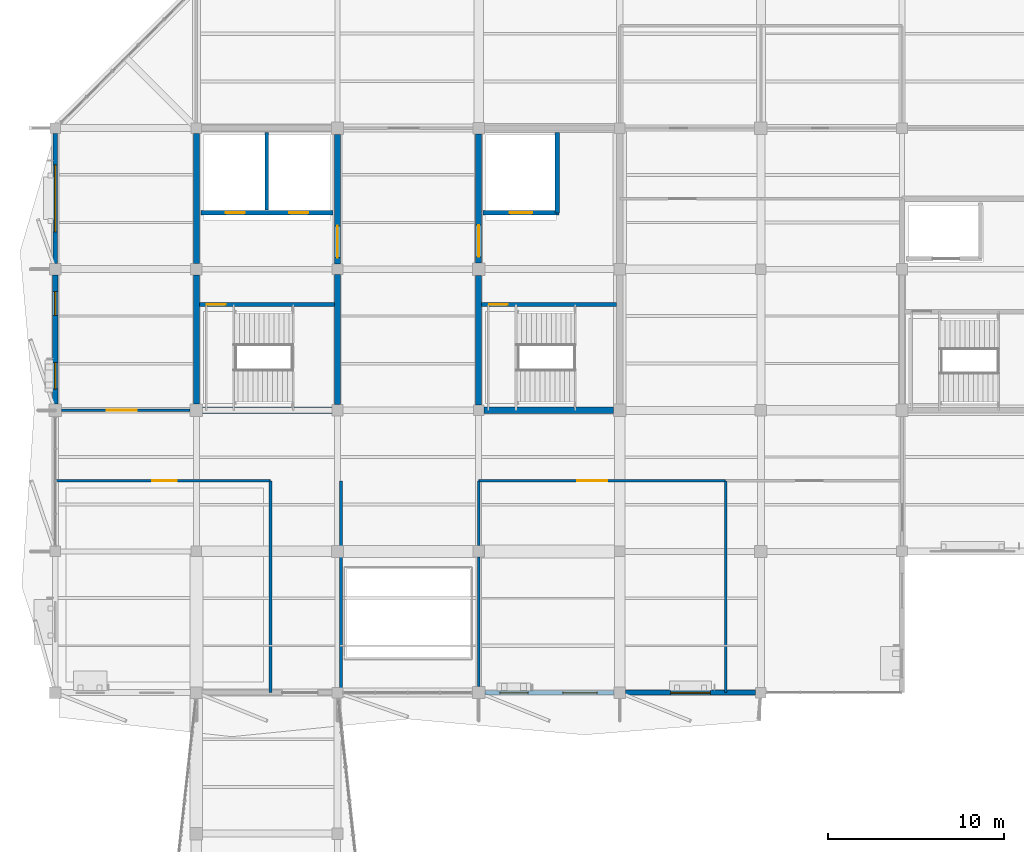
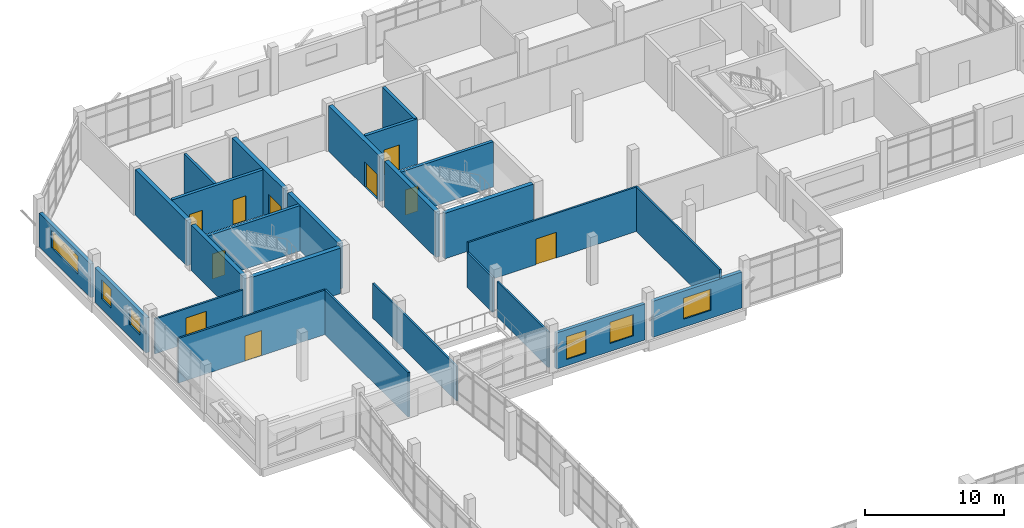
# One storey, part 73 of 84: 26 walls, 10 doors, 6 windows, 16 openings.
"""IFC4 building model written with IfcOpenShell, lengths in metres."""

from ifc_helpers import new_model, si_unit, direction, frame, frame_2d, origin, place, context, subcontext, project, spatial, rectangle, extrude, material, layer, layer_set, type_object, element, fill, save


model = new_model("IFC4")

# Units and contexts
model_context = context("Model", 3, precision=1e-05, world=origin(), true_north=direction((0.0, 1.0)))
body_context = subcontext(model_context, "Body", "Model", "MODEL_VIEW")
ifc_project = project(units=[si_unit("LENGTHUNIT", "METRE"), si_unit("AREAUNIT", "SQUARE_METRE"), si_unit("VOLUMEUNIT", "CUBIC_METRE"), si_unit("PLANEANGLEUNIT", "RADIAN"), si_unit("MASSUNIT", "GRAM", prefix="KILO")], contexts=[model_context])

# Site, building, storey
site_placement = place(None, origin())
site = spatial("IfcSite", under=ifc_project, at=site_placement, CompositionType="ELEMENT")
building_placement = place(site_placement, origin())
building = spatial("IfcBuilding", under=site, at=building_placement, Name="Tenunan Teduh Sports Hall", CompositionType="ELEMENT")
storey_placement = place(building_placement, frame((0.0, 0.0, 10.800048828125)))
storey = spatial("IfcBuildingStorey", under=building, at=storey_placement, Name="L02", CompositionType="ELEMENT", Elevation=10.800048828125)

# Wall, opening, door
ifc_material_1 = material(Name="Concrete C40/50", Category="concrete")
ifc_layer_1 = layer(ifc_material_1, 0.25)
ifc_layer_set_1 = layer_set([ifc_layer_1], Name="Concrete C40/50")
wall_type_1 = type_object("IfcWallType", Name="WL-COR-250", PredefinedType="SOLIDWALL", material=ifc_layer_set_1)
wall_1_placement = place(storey_placement, frame((14.175048828125, 100.0, 0.0), z_axis=(0.0, 0.0, 1.0), x_axis=(1.0, 0.0, 0.0)))
wall_1 = element("IfcWall", 1, at=wall_1_placement, inside=storey, type_object=wall_type_1, Name="WL-COR-L02-034", PredefinedType="SOLIDWALL", context=body_context, shape_type="SweptSolid", body=[
    extrude(rectangle(XDim=7.64990234375, YDim=0.25, at=frame_2d((3.824951171875, 0.0))), origin(), (0.0, 0.0, 1.0), 3.97998046875),
])
opening_1_placement = place(wall_1_placement, frame((0.425048828125, 0.0, 0.0)))
opening_1 = element("IfcOpeningElement", 2, at=opening_1_placement, cuts=wall_1, Name="Opening FD-02", PredefinedType="OPENING", context=body_context, shape_type="SweptSolid", body=[
    extrude(rectangle(XDim=1.050048828125, YDim=2.199951171875, at=frame_2d((0.52490234375, 1.10009765625))), frame((0.0, 0.135009765625, 0.0), z_axis=(0.0, -1.0, 0.0), x_axis=(1.0, 0.0, 0.0)), (0.0, 0.0, 1.0), 0.27001953125),
])
ifc_material_2 = material(Name="Fire-rated steel leaf and frame", Category="steel")
door_type_1 = type_object("IfcDoorType", Name="FDR-02", OperationType="SINGLE_SWING_RIGHT", PredefinedType="DOOR", material=ifc_material_2)
door_1_placement = place(opening_1_placement, frame((1.050048828125, 0.0, 0.0), z_axis=(0.0, 0.0, 1.0), x_axis=(-1.0, 0.0, 0.0)))
door_1 = element("IfcDoor", 3, at=door_1_placement, inside=storey, type_object=door_type_1, Name="DR-INT-L02-014", OperationType="SINGLE_SWING_RIGHT", OverallHeight=2.199951171875, OverallWidth=1.050048828125, PredefinedType="DOOR", context=body_context, shape_type="SweptSolid", body=[
    extrude(rectangle(XDim=1.050048828125, YDim=2.199951171875, at=frame_2d((0.52490234375, 1.10009765625))), frame((0.0, 0.02490234375, 0.0), z_axis=(0.0, -1.0, 0.0), x_axis=(1.0, 0.0, 0.0)), (0.0, 0.0, 1.0), 0.050048828125),
])
fill(opening_1, door_1)

# Wall, openings, doors
wall_2_placement = place(storey_placement, frame((14.25, 105.199951171875, 0.0), z_axis=(0.0, 0.0, 1.0), x_axis=(1.0, 0.0, 0.0)))
wall_2 = element("IfcWall", 4, at=wall_2_placement, inside=storey, type_object=wall_type_1, Name="WL-COR-L02-035", PredefinedType="SOLIDWALL", context=body_context, shape_type="SweptSolid", body=[
    extrude(rectangle(XDim=7.5, YDim=0.25, at=frame_2d((3.75, 0.0))), origin(), (0.0, 0.0, 1.0), 3.97998046875),
])
opening_2_placement = place(wall_2_placement, frame((1.39990234375, 0.0, 0.0)))
opening_2 = element("IfcOpeningElement", 5, at=opening_2_placement, cuts=wall_2, Name="Opening LD-1", PredefinedType="OPENING", context=body_context, shape_type="SweptSolid", body=[
    extrude(rectangle(XDim=1.10009765625, YDim=2.199951171875, at=frame_2d((0.550048828125, 1.10009765625))), frame((0.0, 0.135009765625, 0.0), z_axis=(0.0, -1.0, 0.0), x_axis=(1.0, 0.0, 0.0)), (0.0, 0.0, 1.0), 0.27001953125),
])
opening_3_placement = place(wall_2_placement, frame((5.0, 0.0, 0.0)))
opening_3 = element("IfcOpeningElement", 6, at=opening_3_placement, cuts=wall_2, Name="Opening LD-1", PredefinedType="OPENING", context=body_context, shape_type="SweptSolid", body=[
    extrude(rectangle(XDim=1.10009765625, YDim=2.199951171875, at=frame_2d((0.550048828125, 1.10009765625))), frame((0.0, 0.135009765625, 0.0), z_axis=(0.0, -1.0, 0.0), x_axis=(1.0, 0.0, 0.0)), (0.0, 0.0, 1.0), 0.27001953125),
])
ifc_material_3 = material(Name="Brushed stainless steel landing doors", Category="steel")
door_type_2 = type_object("IfcDoorType", Name="LDR-01", OperationType="DOUBLE_DOOR_SLIDING", PredefinedType="DOOR", material=ifc_material_3)
door_2_placement = place(opening_2_placement, origin())
door_2 = element("IfcDoor", 7, at=door_2_placement, inside=storey, type_object=door_type_2, Name="Lift Landing Door LD-07", OperationType="DOUBLE_DOOR_SLIDING", OverallHeight=2.199951171875, OverallWidth=1.10009765625, PredefinedType="DOOR", context=body_context, shape_type="SweptSolid", body=[
    extrude(rectangle(XDim=1.10009765625, YDim=2.199951171875, at=frame_2d((0.550048828125, 1.10009765625))), frame((0.0, 0.02490234375, 0.0), z_axis=(0.0, -1.0, 0.0), x_axis=(1.0, 0.0, 0.0)), (0.0, 0.0, 1.0), 0.050048828125),
])
fill(opening_2, door_2)
door_3_placement = place(opening_3_placement, origin())
door_3 = element("IfcDoor", 8, at=door_3_placement, inside=storey, type_object=door_type_2, Name="Lift Landing Door LD-08", OperationType="DOUBLE_DOOR_SLIDING", OverallHeight=2.199951171875, OverallWidth=1.10009765625, PredefinedType="DOOR", context=body_context, shape_type="SweptSolid", body=[
    extrude(rectangle(XDim=1.10009765625, YDim=2.199951171875, at=frame_2d((0.550048828125, 1.10009765625))), frame((0.0, 0.02490234375, 0.0), z_axis=(0.0, -1.0, 0.0), x_axis=(1.0, 0.0, 0.0)), (0.0, 0.0, 1.0), 0.050048828125),
])
fill(opening_3, door_3)

# Wall, opening, door
wall_3_placement = place(storey_placement, frame((30.175048828125, 100.0, 0.0), z_axis=(0.0, 0.0, 1.0), x_axis=(1.0, 0.0, 0.0)))
wall_3 = element("IfcWall", 9, at=wall_3_placement, inside=storey, type_object=wall_type_1, Name="WL-COR-L02-088", PredefinedType="SOLIDWALL", context=body_context, shape_type="SweptSolid", body=[
    extrude(rectangle(XDim=7.64990234375, YDim=0.25, at=frame_2d((3.824951171875, 0.0))), origin(), (0.0, 0.0, 1.0), 3.97998046875),
])
opening_4_placement = place(wall_3_placement, frame((0.425048828125, 0.0, 0.0)))
opening_4 = element("IfcOpeningElement", 10, at=opening_4_placement, cuts=wall_3, Name="Opening FD-02", PredefinedType="OPENING", context=body_context, shape_type="SweptSolid", body=[
    extrude(rectangle(XDim=1.050048828125, YDim=2.199951171875, at=frame_2d((0.52490234375, 1.10009765625))), frame((0.0, 0.135009765625, 0.0), z_axis=(0.0, -1.0, 0.0), x_axis=(1.0, 0.0, 0.0)), (0.0, 0.0, 1.0), 0.27001953125),
])
door_4_placement = place(opening_4_placement, frame((1.050048828125, 0.0, 0.0), z_axis=(0.0, 0.0, 1.0), x_axis=(-1.0, 0.0, 0.0)))
door_4 = element("IfcDoor", 11, at=door_4_placement, inside=storey, type_object=door_type_1, Name="DR-INT-L02-035", OperationType="SINGLE_SWING_LEFT", OverallHeight=2.199951171875, OverallWidth=1.050048828125, PredefinedType="DOOR", context=body_context, shape_type="SweptSolid", body=[
    extrude(rectangle(XDim=1.050048828125, YDim=2.199951171875, at=frame_2d((0.52490234375, 1.10009765625))), frame((0.0, 0.02490234375, 0.0), z_axis=(0.0, -1.0, 0.0), x_axis=(1.0, 0.0, 0.0)), (0.0, 0.0, 1.0), 0.050048828125),
])
fill(opening_4, door_4)

wall_4_placement = place(storey_placement, frame((30.25, 105.199951171875, 0.0), z_axis=(0.0, 0.0, 1.0), x_axis=(1.0, 0.0, 0.0)))
wall_4 = element("IfcWall", 12, at=wall_4_placement, inside=storey, type_object=wall_type_1, Name="WL-COR-L02-089", PredefinedType="SOLIDWALL", context=body_context, shape_type="SweptSolid", body=[
    extrude(rectangle(XDim=4.300048828125, YDim=0.25, at=frame_2d((2.14990234375, 0.0))), origin(), (0.0, 0.0, 1.0), 3.97998046875),
])
opening_5_placement = place(wall_4_placement, frame((1.5, 0.0, 0.0)))
opening_5 = element("IfcOpeningElement", 13, at=opening_5_placement, cuts=wall_4, Name="Opening LD-2", PredefinedType="OPENING", context=body_context, shape_type="SweptSolid", body=[
    extrude(rectangle(XDim=1.300048828125, YDim=2.199951171875, at=frame_2d((0.64990234375, 1.10009765625))), frame((0.0, 0.135009765625, 0.0), z_axis=(0.0, -1.0, 0.0), x_axis=(1.0, 0.0, 0.0)), (0.0, 0.0, 1.0), 0.27001953125),
])
ifc_material_4 = material(Name="Fire-fighting lift stainless landing doors")
door_type_3 = type_object("IfcDoorType", Name="LDR-02", OperationType="DOUBLE_DOOR_SLIDING", PredefinedType="DOOR", material=ifc_material_4)
door_5_placement = place(opening_5_placement, origin())
door_5 = element("IfcDoor", 14, at=door_5_placement, inside=storey, type_object=door_type_3, Name="Lift Landing Door LD-16", OperationType="DOUBLE_DOOR_SLIDING", OverallHeight=2.199951171875, OverallWidth=1.300048828125, PredefinedType="DOOR", context=body_context, shape_type="SweptSolid", body=[
    extrude(rectangle(XDim=1.300048828125, YDim=2.199951171875, at=frame_2d((0.64990234375, 1.10009765625))), frame((0.0, 0.02490234375, 0.0), z_axis=(0.0, -1.0, 0.0), x_axis=(1.0, 0.0, 0.0)), (0.0, 0.0, 1.0), 0.050048828125),
])
fill(opening_5, door_5)

# Wall
wall_5_placement = place(storey_placement, frame((34.449951171875, 105.199951171875, 0.0), z_axis=(0.0, 0.0, 1.0), x_axis=(0.0, 1.0, 0.0)))
element("IfcWall", 15, at=wall_5_placement, inside=storey, type_object=wall_type_1, Name="WL-COR-L02-090", PredefinedType="SOLIDWALL", context=body_context, shape_type="SweptSolid", body=[
    extrude(rectangle(XDim=4.550048828125, YDim=0.25, at=frame_2d((2.27490234375, 0.0))), origin(), (0.0, 0.0, 1.0), 3.97998046875),
])

# Wall, openings, windows
ifc_material_5 = material(Name="Precast concrete C40/50", Category="concrete")
ifc_layer_2 = layer(ifc_material_5, 0.25)
ifc_layer_set_2 = layer_set([ifc_layer_2], Name="Precast concrete C40/50")
wall_type_2 = type_object("IfcWallType", Name="WL-EXT-250", PredefinedType="SOLIDWALL", material=ifc_layer_set_2)
wall_6_placement = place(storey_placement, frame((30.35009765625, 78.0, 0.0), z_axis=(0.0, 0.0, 1.0), x_axis=(1.0, 0.0, 0.0)))
wall_6 = element("IfcWall", 16, at=wall_6_placement, inside=storey, type_object=wall_type_2, Name="WL-EXT-L02-180", PredefinedType="SOLIDWALL", context=body_context, shape_type="SweptSolid", body=[
    extrude(rectangle(XDim=7.324951171875, YDim=0.25, at=frame_2d((3.66259765625, 0.0))), origin(), (0.0, 0.0, 1.0), 3.159912109375),
])
opening_6_placement = place(wall_6_placement, frame((0.85009765625, 0.0, 0.550048828125)))
opening_6 = element("IfcOpeningElement", 17, at=opening_6_placement, cuts=wall_6, Name="Opening W-14", PredefinedType="OPENING", context=body_context, shape_type="SweptSolid", body=[
    extrude(rectangle(XDim=1.60009765625, YDim=2.0, at=frame_2d((0.800048828125, 1.0))), frame((0.0, 0.135009765625, 0.0), z_axis=(0.0, -1.0, 0.0), x_axis=(1.0, 0.0, 0.0)), (0.0, 0.0, 1.0), 0.27001953125),
])
opening_7_placement = place(wall_6_placement, frame((4.419921875, 0.0, 0.699951171875)))
opening_7 = element("IfcOpeningElement", 18, at=opening_7_placement, cuts=wall_6, Name="Opening W-20", PredefinedType="OPENING", context=body_context, shape_type="SweptSolid", body=[
    extrude(rectangle(XDim=1.949951171875, YDim=1.85009765625, at=frame_2d((0.97509765625, 0.925048828125))), frame((0.0, 0.135009765625, 0.0), z_axis=(0.0, -1.0, 0.0), x_axis=(1.0, 0.0, 0.0)), (0.0, 0.0, 1.0), 0.27001953125),
])
ifc_material_6 = material(Name="Thermally broken aluminium and Low-E glazing", Category="aluminium")
window_type_1 = type_object("IfcWindowType", Name="WIN-14", PartitioningType="DOUBLE_PANEL_VERTICAL", PredefinedType="WINDOW", material=ifc_material_6)
window_1_placement = place(opening_6_placement, origin())
window_1 = element("IfcWindow", 19, at=window_1_placement, inside=storey, type_object=window_type_1, Name="WIN-L02-069", OverallHeight=2.0, OverallWidth=1.60009765625, PartitioningType="SINGLE_PANEL", PredefinedType="WINDOW", context=body_context, shape_type="SweptSolid", body=[
    extrude(rectangle(XDim=1.60009765625, YDim=2.0, at=frame_2d((0.800048828125, 1.0))), frame((0.0, 0.030029296875, 0.0), z_axis=(0.0, -1.0, 0.0), x_axis=(1.0, 0.0, 0.0)), (0.0, 0.0, 1.0), 0.06005859375),
])
fill(opening_6, window_1)
ifc_material_7 = material(Name="Thermally broken aluminium and Low-E glazing", Category="aluminium")
window_type_2 = type_object("IfcWindowType", Name="WIN-20", PartitioningType="DOUBLE_PANEL_VERTICAL", PredefinedType="WINDOW", material=ifc_material_7)
window_2_placement = place(opening_7_placement, origin())
window_2 = element("IfcWindow", 20, at=window_2_placement, inside=storey, type_object=window_type_2, Name="WIN-L02-070", OverallHeight=1.85009765625, OverallWidth=1.949951171875, PartitioningType="SINGLE_PANEL", PredefinedType="WINDOW", context=body_context, shape_type="SweptSolid", body=[
    extrude(rectangle(XDim=1.949951171875, YDim=1.85009765625, at=frame_2d((0.97509765625, 0.925048828125))), frame((0.0, 0.030029296875, 0.0), z_axis=(0.0, -1.0, 0.0), x_axis=(1.0, 0.0, 0.0)), (0.0, 0.0, 1.0), 0.06005859375),
])
fill(opening_7, window_2)

# Wall, opening, window
ifc_material_8 = material(Name="Concrete C40/50", Category="concrete")
ifc_layer_3 = layer(ifc_material_8, 0.280029296875)
ifc_layer_set_3 = layer_set([ifc_layer_3], Name="Concrete C40/50")
wall_type_3 = type_object("IfcWallType", Name="WL-EXT-280", PredefinedType="SOLIDWALL", material=ifc_layer_set_3)
wall_7_placement = place(storey_placement, frame((38.324951171875, 78.0, 0.0), z_axis=(0.0, 0.0, 1.0), x_axis=(1.0, 0.0, 0.0)))
wall_7 = element("IfcWall", 21, at=wall_7_placement, inside=storey, type_object=wall_type_3, Name="WL-EXT-L02-181", PredefinedType="SOLIDWALL", context=body_context, shape_type="SweptSolid", body=[
    extrude(rectangle(XDim=7.375, YDim=0.280029296875, at=frame_2d((3.6875, 0.0))), origin(), (0.0, 0.0, 1.0), 3.159912109375),
])
opening_8_placement = place(wall_7_placement, frame((2.56005859375, 0.0, 0.699951171875)))
opening_8 = element("IfcOpeningElement", 22, at=opening_8_placement, cuts=wall_7, Name="Opening W-21", PredefinedType="OPENING", context=body_context, shape_type="SweptSolid", body=[
    extrude(rectangle(XDim=2.25, YDim=1.85009765625, at=frame_2d((1.125, 0.925048828125))), frame((0.0, 0.14990234375, 0.0), z_axis=(0.0, -1.0, 0.0), x_axis=(1.0, 0.0, 0.0)), (0.0, 0.0, 1.0), 0.300048828125),
])
ifc_material_9 = material(Name="Thermally broken aluminium and Low-E glazing", Category="aluminium")
window_type_3 = type_object("IfcWindowType", Name="WIN-21", PartitioningType="TRIPLE_PANEL_VERTICAL", PredefinedType="WINDOW", material=ifc_material_9)
window_3_placement = place(opening_8_placement, origin())
window_3 = element("IfcWindow", 23, at=window_3_placement, inside=storey, type_object=window_type_3, Name="WIN-L02-071", OverallHeight=1.85009765625, OverallWidth=2.25, PartitioningType="SINGLE_PANEL", PredefinedType="WINDOW", context=body_context, shape_type="SweptSolid", body=[
    extrude(rectangle(XDim=2.25, YDim=1.85009765625, at=frame_2d((1.125, 0.925048828125))), frame((0.0, 0.030029296875, 0.0), z_axis=(0.0, -1.0, 0.0), x_axis=(1.0, 0.0, 0.0)), (0.0, 0.0, 1.0), 0.06005859375),
])
fill(opening_8, window_3)

wall_8_placement = place(storey_placement, frame((6.0, 102.324951171875, 0.0), z_axis=(0.0, 0.0, 1.0), x_axis=(0.0, 1.0, 0.0)))
wall_8 = element("IfcWall", 24, at=wall_8_placement, inside=storey, type_object=wall_type_3, Name="WL-EXT-L02-193", PredefinedType="SOLIDWALL", context=body_context, shape_type="SweptSolid", body=[
    extrude(rectangle(XDim=7.375, YDim=0.280029296875, at=frame_2d((3.6875, 0.0))), origin(), (0.0, 0.0, 1.0), 2.9599609375),
])
opening_9_placement = place(wall_8_placement, frame((1.7900390625, 0.0, 1.0)))
opening_9 = element("IfcOpeningElement", 25, at=opening_9_placement, cuts=wall_8, Name="Opening W-24", PredefinedType="OPENING", context=body_context, shape_type="SweptSolid", body=[
    extrude(rectangle(XDim=3.800048828125, YDim=1.550048828125, at=frame_2d((1.89990234375, 0.77490234375))), frame((0.0, 0.14990234375, 0.0), z_axis=(0.0, -1.0, 0.0), x_axis=(1.0, 0.0, 0.0)), (0.0, 0.0, 1.0), 0.300048828125),
])
ifc_material_10 = material(Name="Thermally broken aluminium and Low-E glazing", Category="aluminium")
window_type_4 = type_object("IfcWindowType", Name="WIN-24", PartitioningType="TRIPLE_PANEL_HORIZONTAL", PredefinedType="WINDOW", material=ifc_material_10)
window_4_placement = place(opening_9_placement, origin())
window_4 = element("IfcWindow", 26, at=window_4_placement, inside=storey, type_object=window_type_4, Name="WIN-L02-089", OverallHeight=1.550048828125, OverallWidth=3.800048828125, PartitioningType="SINGLE_PANEL", PredefinedType="WINDOW", context=body_context, shape_type="SweptSolid", body=[
    extrude(rectangle(XDim=3.800048828125, YDim=1.550048828125, at=frame_2d((1.89990234375, 0.77490234375))), frame((0.0, 0.030029296875, 0.0), z_axis=(0.0, -1.0, 0.0), x_axis=(1.0, 0.0, 0.0)), (0.0, 0.0, 1.0), 0.06005859375),
])
fill(opening_9, window_4)

# Wall, openings, windows
ifc_material_11 = material(Name="Concrete C40/50", Category="concrete")
ifc_layer_4 = layer(ifc_material_11, 0.2900390625)
ifc_layer_set_4 = layer_set([ifc_layer_4], Name="Concrete C40/50")
wall_type_4 = type_object("IfcWallType", Name="WL-EXT-290", PredefinedType="SOLIDWALL", material=ifc_layer_set_4)
wall_9_placement = place(storey_placement, frame((6.0, 94.35009765625, 0.0), z_axis=(0.0, 0.0, 1.0), x_axis=(0.0, 1.0, 0.0)))
wall_9 = element("IfcWall", 27, at=wall_9_placement, inside=storey, type_object=wall_type_4, Name="WL-EXT-L02-192", PredefinedType="SOLIDWALL", context=body_context, shape_type="SweptSolid", body=[
    extrude(rectangle(XDim=7.324951171875, YDim=0.2900390625, at=frame_2d((3.66259765625, 0.0))), origin(), (0.0, 0.0, 1.0), 3.06005859375),
])
opening_10_placement = place(wall_9_placement, frame((0.85009765625, 0.0, 1.050048828125)))
opening_10 = element("IfcOpeningElement", 28, at=opening_10_placement, cuts=wall_9, Name="Opening W-09", PredefinedType="OPENING", context=body_context, shape_type="SweptSolid", body=[
    extrude(rectangle(XDim=1.5, YDim=1.5, at=frame_2d((0.75, 0.75))), frame((0.0, 0.155029296875, 0.0), z_axis=(0.0, -1.0, 0.0), x_axis=(1.0, 0.0, 0.0)), (0.0, 0.0, 1.0), 0.31005859375),
])
opening_11_placement = place(wall_9_placement, frame((5.030029296875, 0.0, 0.89990234375)))
opening_11 = element("IfcOpeningElement", 29, at=opening_11_placement, cuts=wall_9, Name="Opening W-18", PredefinedType="OPENING", context=body_context, shape_type="SweptSolid", body=[
    extrude(rectangle(XDim=1.35009765625, YDim=1.64990234375, at=frame_2d((0.675048828125, 0.824951171875))), frame((0.0, 0.155029296875, 0.0), z_axis=(0.0, -1.0, 0.0), x_axis=(1.0, 0.0, 0.0)), (0.0, 0.0, 1.0), 0.31005859375),
])
ifc_material_12 = material(Name="Thermally broken aluminium and Low-E glazing", Category="aluminium")
window_type_5 = type_object("IfcWindowType", Name="WIN-09", PartitioningType="DOUBLE_PANEL_VERTICAL", PredefinedType="WINDOW", material=ifc_material_12)
window_5_placement = place(opening_10_placement, origin())
window_5 = element("IfcWindow", 30, at=window_5_placement, inside=storey, type_object=window_type_5, Name="WIN-L02-087", OverallHeight=1.5, OverallWidth=1.5, PartitioningType="SINGLE_PANEL", PredefinedType="WINDOW", context=body_context, shape_type="SweptSolid", body=[
    extrude(rectangle(XDim=1.5, YDim=1.5, at=frame_2d((0.75, 0.75))), frame((0.0, 0.030029296875, 0.0), z_axis=(0.0, -1.0, 0.0), x_axis=(1.0, 0.0, 0.0)), (0.0, 0.0, 1.0), 0.06005859375),
])
fill(opening_10, window_5)
ifc_material_13 = material(Name="Thermally broken aluminium and Low-E glazing", Category="aluminium")
window_type_6 = type_object("IfcWindowType", Name="WIN-18", PartitioningType="DOUBLE_PANEL_VERTICAL", PredefinedType="WINDOW", material=ifc_material_13)
window_6_placement = place(opening_11_placement, origin())
window_6 = element("IfcWindow", 31, at=window_6_placement, inside=storey, type_object=window_type_6, Name="WIN-L02-088", OverallHeight=1.64990234375, OverallWidth=1.35009765625, PartitioningType="SINGLE_PANEL", PredefinedType="WINDOW", context=body_context, shape_type="SweptSolid", body=[
    extrude(rectangle(XDim=1.35009765625, YDim=1.64990234375, at=frame_2d((0.675048828125, 0.824951171875))), frame((0.0, 0.030029296875, 0.0), z_axis=(0.0, -1.0, 0.0), x_axis=(1.0, 0.0, 0.0)), (0.0, 0.0, 1.0), 0.06005859375),
])
fill(opening_11, window_6)

# Wall, opening, door
ifc_material_14 = material(Name="Acoustic stud and double plasterboard")
ifc_layer_5 = layer(ifc_material_14, 0.14990234375)
ifc_layer_set_5 = layer_set([ifc_layer_5], Name="Acoustic stud and double plasterboard")
wall_type_5 = type_object("IfcWallType", Name="WL-PRT-150", PredefinedType="PARTITIONING", material=ifc_layer_set_5)
wall_10_placement = place(storey_placement, frame((6.0, 90.0, 0.0), z_axis=(0.0, 0.0, 1.0), x_axis=(1.0, 0.0, 0.0)))
wall_10 = element("IfcWall", 32, at=wall_10_placement, inside=storey, type_object=wall_type_5, Name="WL-PRT-L02-413", PredefinedType="PARTITIONING", context=body_context, shape_type="SweptSolid", body=[
    extrude(rectangle(XDim=12.199951171875, YDim=0.14990234375, at=frame_2d((6.10009765625, 0.0))), origin(), (0.0, 0.0, 1.0), 3.89990234375),
])
opening_12_placement = place(wall_10_placement, frame((5.489990234375, 0.0, 0.0)))
opening_12 = element("IfcOpeningElement", 33, at=opening_12_placement, cuts=wall_10, Name="Opening ID-10", PredefinedType="OPENING", context=body_context, shape_type="SweptSolid", body=[
    extrude(rectangle(XDim=1.39990234375, YDim=2.199951171875, at=frame_2d((0.699951171875, 1.10009765625))), frame((0.0, 0.0849609375, 0.0), z_axis=(0.0, -1.0, 0.0), x_axis=(1.0, 0.0, 0.0)), (0.0, 0.0, 1.0), 0.169921875),
])
ifc_material_15 = material(Name="Lab double leaf")
door_type_4 = type_object("IfcDoorType", Name="IDR-10", OperationType="DOUBLE_DOOR_SINGLE_SWING", PredefinedType="DOOR", material=ifc_material_15)
door_6_placement = place(opening_12_placement, frame((1.39990234375, 0.0, 0.0), z_axis=(0.0, 0.0, 1.0), x_axis=(-1.0, 0.0, 0.0)))
door_6 = element("IfcDoor", 34, at=door_6_placement, inside=storey, type_object=door_type_4, Name="DR-INT-L02-158", OperationType="DOUBLE_DOOR_SINGLE_SWING", OverallHeight=2.199951171875, OverallWidth=1.39990234375, PredefinedType="DOOR", context=body_context, shape_type="SweptSolid", body=[
    extrude(rectangle(XDim=1.39990234375, YDim=2.199951171875, at=frame_2d((0.699951171875, 1.10009765625))), frame((0.0, 0.02490234375, 0.0), z_axis=(0.0, -1.0, 0.0), x_axis=(1.0, 0.0, 0.0)), (0.0, 0.0, 1.0), 0.050048828125),
])
fill(opening_12, door_6)

# Walls
wall_11_placement = place(storey_placement, frame((18.199951171875, 78.0, 0.0), z_axis=(0.0, 0.0, 1.0), x_axis=(0.0, 1.0, 0.0)))
element("IfcWall", 35, at=wall_11_placement, inside=storey, type_object=wall_type_5, Name="WL-PRT-L02-414", PredefinedType="PARTITIONING", context=body_context, shape_type="SweptSolid", body=[
    extrude(rectangle(XDim=12.0, YDim=0.14990234375, at=frame_2d((6.0, 0.0))), origin(), (0.0, 0.0, 1.0), 3.89990234375),
])
wall_12_placement = place(storey_placement, frame((22.199951171875, 78.0, 0.0), z_axis=(0.0, 0.0, 1.0), x_axis=(0.0, 1.0, 0.0)))
element("IfcWall", 36, at=wall_12_placement, inside=storey, type_object=wall_type_5, Name="WL-PRT-L02-415", PredefinedType="PARTITIONING", context=body_context, shape_type="SweptSolid", body=[
    extrude(rectangle(XDim=12.0, YDim=0.14990234375, at=frame_2d((6.0, 0.0))), origin(), (0.0, 0.0, 1.0), 3.06005859375),
])
wall_13_placement = place(storey_placement, frame((30.0, 78.35009765625, 0.0), z_axis=(0.0, 0.0, 1.0), x_axis=(0.0, 1.0, 0.0)))
element("IfcWall", 37, at=wall_13_placement, inside=storey, type_object=wall_type_5, Name="WL-PRT-L02-416", PredefinedType="PARTITIONING", context=body_context, shape_type="SweptSolid", body=[
    extrude(rectangle(XDim=7.324951171875, YDim=0.14990234375, at=frame_2d((3.66259765625, 0.0))), origin(), (0.0, 0.0, 1.0), 3.10986328125),
])
wall_14_placement = place(storey_placement, frame((30.0, 86.324951171875, 0.0), z_axis=(0.0, 0.0, 1.0), x_axis=(0.0, 1.0, 0.0)))
element("IfcWall", 38, at=wall_14_placement, inside=storey, type_object=wall_type_5, Name="WL-PRT-L02-417", PredefinedType="PARTITIONING", context=body_context, shape_type="SweptSolid", body=[
    extrude(rectangle(XDim=3.675048828125, YDim=0.14990234375, at=frame_2d((1.83740234375, 0.0))), origin(), (0.0, 0.0, 1.0), 3.06005859375),
])

# Wall, opening, door
wall_15_placement = place(storey_placement, frame((30.0, 90.0, 0.0), z_axis=(0.0, 0.0, 1.0), x_axis=(1.0, 0.0, 0.0)))
wall_15 = element("IfcWall", 39, at=wall_15_placement, inside=storey, type_object=wall_type_5, Name="WL-PRT-L02-418", PredefinedType="PARTITIONING", context=body_context, shape_type="SweptSolid", body=[
    extrude(rectangle(XDim=14.0, YDim=0.14990234375, at=frame_2d((7.0, 0.0))), origin(), (0.0, 0.0, 1.0), 3.89990234375),
])
opening_13_placement = place(wall_15_placement, frame((5.60009765625, 0.0, 0.0)))
opening_13 = element("IfcOpeningElement", 40, at=opening_13_placement, cuts=wall_15, Name="Opening ID-05", PredefinedType="OPENING", context=body_context, shape_type="SweptSolid", body=[
    extrude(rectangle(XDim=1.699951171875, YDim=2.25, at=frame_2d((0.85009765625, 1.125))), frame((0.0, 0.0849609375, 0.0), z_axis=(0.0, -1.0, 0.0), x_axis=(1.0, 0.0, 0.0)), (0.0, 0.0, 1.0), 0.169921875),
])
ifc_material_16 = material(Name="Glazed concourse pair")
door_type_5 = type_object("IfcDoorType", Name="IDR-05", OperationType="DOUBLE_DOOR_SINGLE_SWING", PredefinedType="DOOR", material=ifc_material_16)
door_7_placement = place(opening_13_placement, frame((1.699951171875, 0.0, 0.0), z_axis=(0.0, 0.0, 1.0), x_axis=(-1.0, 0.0, 0.0)))
door_7 = element("IfcDoor", 41, at=door_7_placement, inside=storey, type_object=door_type_5, Name="DR-INT-L02-159", OperationType="DOUBLE_DOOR_SINGLE_SWING", OverallHeight=2.25, OverallWidth=1.699951171875, PredefinedType="DOOR", context=body_context, shape_type="SweptSolid", body=[
    extrude(rectangle(XDim=1.699951171875, YDim=2.25, at=frame_2d((0.85009765625, 1.125))), frame((0.0, 0.02490234375, 0.0), z_axis=(0.0, -1.0, 0.0), x_axis=(1.0, 0.0, 0.0)), (0.0, 0.0, 1.0), 0.050048828125),
])
fill(opening_13, door_7)

# Wall
wall_16_placement = place(storey_placement, frame((44.0, 78.0, 0.0), z_axis=(0.0, 0.0, 1.0), x_axis=(0.0, 1.0, 0.0)))
element("IfcWall", 42, at=wall_16_placement, inside=storey, type_object=wall_type_5, Name="WL-PRT-L02-420", PredefinedType="PARTITIONING", context=body_context, shape_type="SweptSolid", body=[
    extrude(rectangle(XDim=12.0, YDim=0.14990234375, at=frame_2d((6.0, 0.0))), origin(), (0.0, 0.0, 1.0), 3.89990234375),
])

# Wall, opening, door
wall_17_placement = place(storey_placement, frame((6.35009765625, 94.0, 0.0), z_axis=(0.0, 0.0, 1.0), x_axis=(1.0, 0.0, 0.0)))
wall_17 = element("IfcWall", 43, at=wall_17_placement, inside=storey, type_object=wall_type_5, Name="WL-PRT-L02-421", PredefinedType="PARTITIONING", context=body_context, shape_type="SweptSolid", body=[
    extrude(rectangle(XDim=7.2998046875, YDim=0.14990234375, at=frame_2d((3.64990234375, 0.0))), origin(), (0.0, 0.0, 1.0), 3.06005859375),
])
opening_14_placement = place(wall_17_placement, frame((2.56005859375, 0.0, 0.0)))
opening_14 = element("IfcOpeningElement", 44, at=opening_14_placement, cuts=wall_17, Name="Opening ID-05", PredefinedType="OPENING", context=body_context, shape_type="SweptSolid", body=[
    extrude(rectangle(XDim=1.699951171875, YDim=2.25, at=frame_2d((0.85009765625, 1.125))), frame((0.0, 0.0849609375, 0.0), z_axis=(0.0, -1.0, 0.0), x_axis=(1.0, 0.0, 0.0)), (0.0, 0.0, 1.0), 0.169921875),
])
door_8_placement = place(opening_14_placement, frame((1.699951171875, 0.0, 0.0), z_axis=(0.0, 0.0, 1.0), x_axis=(-1.0, 0.0, 0.0)))
door_8 = element("IfcDoor", 45, at=door_8_placement, inside=storey, type_object=door_type_5, Name="DR-INT-L02-161", OperationType="DOUBLE_DOOR_SINGLE_SWING", OverallHeight=2.25, OverallWidth=1.699951171875, PredefinedType="DOOR", context=body_context, shape_type="SweptSolid", body=[
    extrude(rectangle(XDim=1.699951171875, YDim=2.25, at=frame_2d((0.85009765625, 1.125))), frame((0.0, 0.02490234375, 0.0), z_axis=(0.0, -1.0, 0.0), x_axis=(1.0, 0.0, 0.0)), (0.0, 0.0, 1.0), 0.050048828125),
])
fill(opening_14, door_8)

# Walls
ifc_material_17 = material(Name="Autoclaved aerated concrete blockwork", Category="masonry")
ifc_layer_6 = layer(ifc_material_17, 0.199951171875)
ifc_layer_set_6 = layer_set([ifc_layer_6], Name="Autoclaved aerated concrete blockwork")
wall_type_6 = type_object("IfcWallType", Name="WL-PRT-200", PredefinedType="PARTITIONING", material=ifc_layer_set_6)
wall_18_placement = place(storey_placement, frame((18.0, 105.35009765625, 0.0), z_axis=(0.0, 0.0, 1.0), x_axis=(0.0, 1.0, 0.0)))
element("IfcWall", 46, at=wall_18_placement, inside=storey, type_object=wall_type_6, Name="WL-PRT-L02-036", PredefinedType="PARTITIONING", context=body_context, shape_type="SweptSolid", body=[
    extrude(rectangle(XDim=4.39990234375, YDim=0.199951171875, at=frame_2d((2.199951171875, 0.0))), origin(), (0.0, 0.0, 1.0), 3.89990234375),
])
ifc_material_18 = material(Name="Concrete C40/50", Category="concrete")
ifc_layer_7 = layer(ifc_material_18, 0.35009765625)
ifc_layer_set_7 = layer_set([ifc_layer_7], Name="Concrete C40/50")
wall_type_7 = type_object("IfcWallType", Name="WL-SHR-350", PredefinedType="SHEAR", material=ifc_layer_set_7)
for number, where, z_axis, x_axis, name in (
    (47, (14.35009765625, 94.0, 0.0), (0.0, 0.0, 1.0), (1.0, 0.0, 0.0), "WL-COR-L02-028"),
    (48, (14.0, 94.35009765625, 0.0), (0.0, 0.0, 1.0), (0.0, 1.0, 0.0), "WL-COR-L02-030"),
):
    element("IfcWall", number, at=place(storey_placement, frame(where, z_axis=z_axis, x_axis=x_axis)), inside=storey, type_object=wall_type_7, Name=name, PredefinedType="SHEAR", context=body_context, shape_type="SweptSolid", body=[
        extrude(rectangle(XDim=7.324951171875, YDim=0.35009765625, at=frame_2d((3.66259765625, 0.0))), origin(), (0.0, 0.0, 1.0), 3.97998046875),
    ])
for number, where, z_axis, x_axis, name in (
    (49, (14.0, 102.324951171875, 0.0), (0.0, 0.0, 1.0), (0.0, 1.0, 0.0), "WL-COR-L02-031"),
    (50, (22.0, 94.324951171875, 0.0), (0.0, 0.0, 1.0), (0.0, 1.0, 0.0), "WL-COR-L02-032"),
):
    element("IfcWall", number, at=place(storey_placement, frame(where, z_axis=z_axis, x_axis=x_axis)), inside=storey, type_object=wall_type_7, Name=name, PredefinedType="SHEAR", context=body_context, shape_type="SweptSolid", body=[
        extrude(rectangle(XDim=7.375, YDim=0.35009765625, at=frame_2d((3.6875, 0.0))), origin(), (0.0, 0.0, 1.0), 3.97998046875),
    ])

# Wall, opening, door
wall_19_placement = place(storey_placement, frame((22.0, 102.300048828125, 0.0), z_axis=(0.0, 0.0, 1.0), x_axis=(0.0, 1.0, 0.0)))
wall_19 = element("IfcWall", 51, at=wall_19_placement, inside=storey, type_object=wall_type_7, Name="WL-COR-L02-033", PredefinedType="SHEAR", context=body_context, shape_type="SweptSolid", body=[
    extrude(rectangle(XDim=7.349853515625, YDim=0.35009765625, at=frame_2d((3.6748046875, 0.0))), origin(), (0.0, 0.0, 1.0), 3.97998046875),
])
opening_15_placement = place(wall_19_placement, frame((0.35009765625, 0.0, 0.0)))
opening_15 = element("IfcOpeningElement", 52, at=opening_15_placement, cuts=wall_19, Name="Opening FD-03", PredefinedType="OPENING", context=body_context, shape_type="SweptSolid", body=[
    extrude(rectangle(XDim=1.800048828125, YDim=2.199951171875, at=frame_2d((0.89990234375, 1.10009765625))), frame((0.0, 0.18505859375, 0.0), z_axis=(0.0, -1.0, 0.0), x_axis=(1.0, 0.0, 0.0)), (0.0, 0.0, 1.0), 0.3701171875),
])
ifc_material_19 = material(Name="Fire-rated hardwood pair", Category="wood")
door_type_6 = type_object("IfcDoorType", Name="FDR-03", OperationType="DOUBLE_DOOR_SINGLE_SWING", PredefinedType="DOOR", material=ifc_material_19)
door_9_placement = place(opening_15_placement, frame((1.800048828125, 0.0, 0.0), z_axis=(0.0, 0.0, 1.0), x_axis=(-1.0, 0.0, 0.0)))
door_9 = element("IfcDoor", 53, at=door_9_placement, inside=storey, type_object=door_type_6, Name="DR-INT-L02-013", OperationType="DOUBLE_DOOR_SINGLE_SWING", OverallHeight=2.199951171875, OverallWidth=1.800048828125, PredefinedType="DOOR", context=body_context, shape_type="SweptSolid", body=[
    extrude(rectangle(XDim=1.800048828125, YDim=2.199951171875, at=frame_2d((0.89990234375, 1.10009765625))), frame((0.0, 0.02490234375, 0.0), z_axis=(0.0, -1.0, 0.0), x_axis=(1.0, 0.0, 0.0)), (0.0, 0.0, 1.0), 0.050048828125),
])
fill(opening_15, door_9)

# Walls
for number, where, z_axis, x_axis, name in (
    (54, (30.300048828125, 94.0, 0.0), (0.0, 0.0, 1.0), (1.0, 0.0, 0.0), "WL-COR-L02-082"),
    (55, (30.0, 94.300048828125, 0.0), (0.0, 0.0, 1.0), (0.0, 1.0, 0.0), "WL-COR-L02-084"),
):
    element("IfcWall", number, at=place(storey_placement, frame(where, z_axis=z_axis, x_axis=x_axis)), inside=storey, type_object=wall_type_7, Name=name, PredefinedType="SHEAR", context=body_context, shape_type="SweptSolid", body=[
        extrude(rectangle(XDim=7.349853515625, YDim=0.35009765625, at=frame_2d((3.6748046875, 0.0))), origin(), (0.0, 0.0, 1.0), 3.97998046875),
    ])

# Wall, opening, door
wall_20_placement = place(storey_placement, frame((30.0, 102.35009765625, 0.0), z_axis=(0.0, 0.0, 1.0), x_axis=(0.0, 1.0, 0.0)))
wall_20 = element("IfcWall", 56, at=wall_20_placement, inside=storey, type_object=wall_type_7, Name="WL-COR-L02-085", PredefinedType="SHEAR", context=body_context, shape_type="SweptSolid", body=[
    extrude(rectangle(XDim=7.324951171875, YDim=0.35009765625, at=frame_2d((3.66259765625, 0.0))), origin(), (0.0, 0.0, 1.0), 3.97998046875),
])
opening_16_placement = place(wall_20_placement, frame((0.35009765625, 0.0, 0.0)))
opening_16 = element("IfcOpeningElement", 57, at=opening_16_placement, cuts=wall_20, Name="Opening FD-03", PredefinedType="OPENING", context=body_context, shape_type="SweptSolid", body=[
    extrude(rectangle(XDim=1.800048828125, YDim=2.199951171875, at=frame_2d((0.89990234375, 1.10009765625))), frame((0.0, 0.18505859375, 0.0), z_axis=(0.0, -1.0, 0.0), x_axis=(1.0, 0.0, 0.0)), (0.0, 0.0, 1.0), 0.3701171875),
])
door_10_placement = place(opening_16_placement, origin())
door_10 = element("IfcDoor", 58, at=door_10_placement, inside=storey, type_object=door_type_6, Name="DR-INT-L02-034", OperationType="DOUBLE_DOOR_SINGLE_SWING", OverallHeight=2.199951171875, OverallWidth=1.800048828125, PredefinedType="DOOR", context=body_context, shape_type="SweptSolid", body=[
    extrude(rectangle(XDim=1.800048828125, YDim=2.199951171875, at=frame_2d((0.89990234375, 1.10009765625))), frame((0.0, 0.02490234375, 0.0), z_axis=(0.0, -1.0, 0.0), x_axis=(1.0, 0.0, 0.0)), (0.0, 0.0, 1.0), 0.050048828125),
])
fill(opening_16, door_10)

save(model, "model.ifc")
